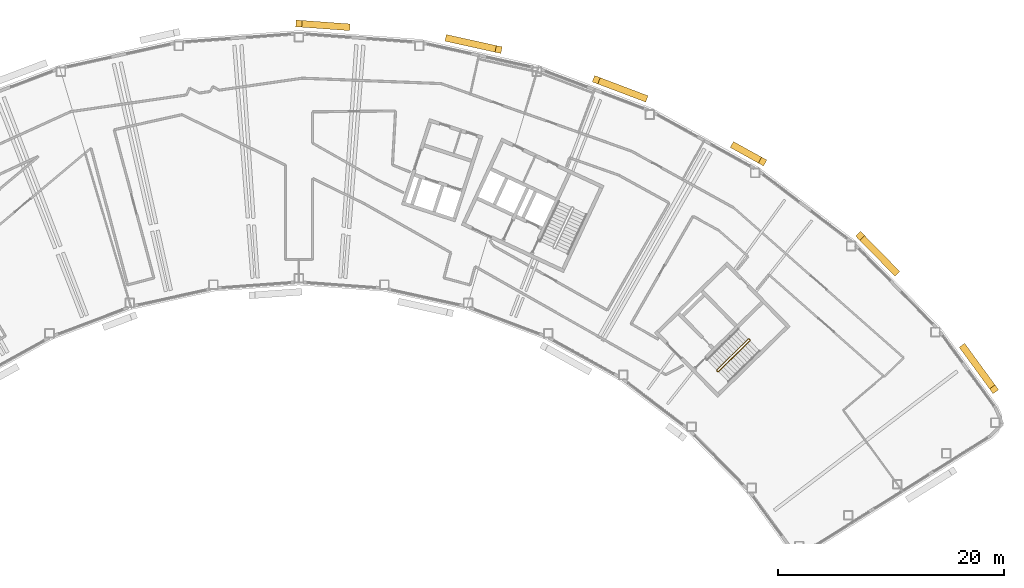
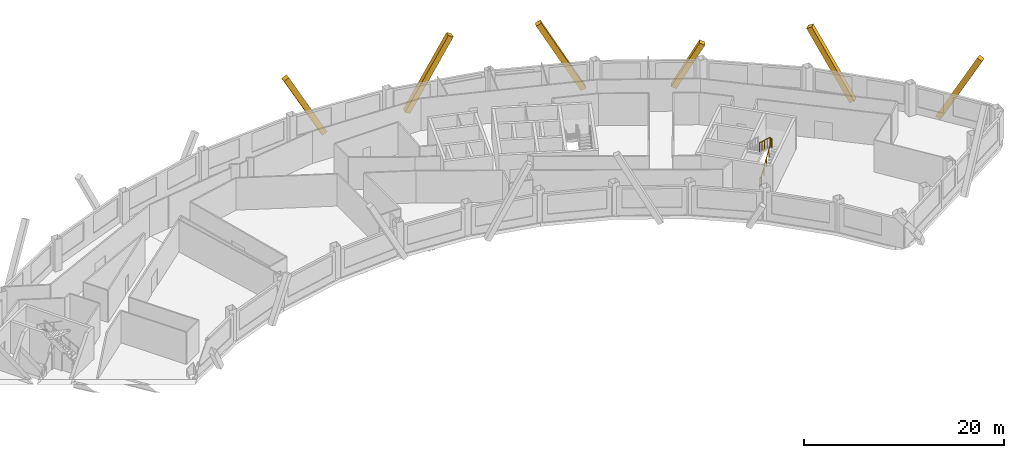
# One storey, part 13 of 13: 6 coverings, 1 railing.
"""IFC4 building model written with IfcOpenShell, lengths in metres."""

from ifc_helpers import new_model, si_unit, direction, frame, origin, origin_2d, place, context, subcontext, project, spatial, rectangle, circle, extrude, material, material_profile, profile_set, type_object, element, save


model = new_model("IFC4")

# Units and contexts
model_context = context("Model", 3, precision=1e-05, world=origin(), true_north=direction((0.0, 1.0)))
body_context = subcontext(model_context, "Body", "Model", "MODEL_VIEW")
ifc_project = project(units=[si_unit("LENGTHUNIT", "METRE"), si_unit("AREAUNIT", "SQUARE_METRE"), si_unit("VOLUMEUNIT", "CUBIC_METRE"), si_unit("PLANEANGLEUNIT", "RADIAN"), si_unit("MASSUNIT", "GRAM", prefix="KILO")], contexts=[model_context])

# Site, building, storey
site_placement = place(None, origin())
site = spatial("IfcSite", under=ifc_project, at=site_placement, CompositionType="ELEMENT")
building_placement = place(site_placement, origin())
building = spatial("IfcBuilding", under=site, at=building_placement, Name="Tuul Gate Civic Tower", CompositionType="ELEMENT")
storey_placement = place(building_placement, frame((0.0, 0.0, 248.39990234375)))
storey = spatial("IfcBuildingStorey", under=building, at=storey_placement, Name="Level 56", CompositionType="ELEMENT", Elevation=248.39990234375)

# Railing
ifc_material_1 = material(Name="Painted steel", Category="steel")
railing_type = type_object("IfcRailingType", Name="Stair guard", PredefinedType="GUARDRAIL", material=ifc_material_1)
railing_placement = place(storey_placement, frame((48.10546875, -16.134765625, 0.0)))
element("IfcRailing", 1, at=railing_placement, inside=storey, type_object=railing_type, Name="Level 56 ST-3 stair guard 1", PredefinedType="GUARDRAIL", context=body_context, shape_type="SweptSolid", body=[
    extrude(circle(Radius=0.02392578125, at=origin_2d()), frame((0.0, 0.0, 1.076171875), z_axis=(-0.698506948293, 0.715603272202, 0.0), x_axis=(-0.715603272202, -0.698506948293, 0.0)), (0.0, 0.0, 1.0), 0.099853515625),
    extrude(circle(Radius=0.02392578125, at=origin_2d()), frame((-0.06982421875, 0.071533203125, 1.076171875), z_axis=(0.644948864628, -0.331432055434, 0.688617277337), x_axis=(0.457068866502, 0.889431307788, 0.0)), (0.0, 0.0, 1.0), 0.218017578125),
    extrude(circle(Radius=0.02392578125, at=origin_2d()), frame((0.07080078125, -0.000732421875, 1.22607421875), z_axis=(0.638731261263, 0.626133563701, 0.447190268558), x_axis=(-0.700029477518, 0.714113947914, 0.0)), (0.0, 0.0, 1.0), 4.3603515625),
    extrude(circle(Radius=0.02392578125, at=origin_2d()), frame((2.85595703125, 2.7294921875, 3.17626953125), z_axis=(0.010380063588, 0.999946125689, 0.0), x_axis=(-0.999946125689, 0.010380063588, 0.0)), (0.0, 0.0, 1.0), 0.070556640625),
    extrude(circle(Radius=0.02392578125, at=origin_2d()), frame((2.856689453125, 2.800048828125, 3.17626953125), z_axis=(-0.699754442181, 0.714383454909, 0.0), x_axis=(-0.714383454909, -0.699754442181, 0.0)), (0.0, 0.0, 1.0), 0.10009765625),
    extrude(circle(Radius=0.02392578125, at=origin_2d()), frame((2.78662109375, 2.87158203125, 3.17626953125), z_axis=(-0.427069033481, 0.004417955519, 0.904208229508), x_axis=(-0.010344274102, -0.999946496565, 0.0)), (0.0, 0.0, 1.0), 0.165771484375),
    extrude(circle(Radius=0.02392578125, at=origin_2d()), frame((2.7158203125, 2.872314453125, 3.326171875), z_axis=(-0.638715268259, -0.626117886127, 0.447235059857), x_axis=(0.700029477518, -0.714113947914, 0.0)), (0.0, 0.0, 1.0), 4.360595703125),
    extrude(circle(Radius=0.02099609375, at=origin_2d()), origin(), (0.0, 0.0, 1.0), 1.052001953125),
    extrude(circle(Radius=0.02099609375, at=origin_2d()), frame((-0.06982421875, 0.071533203125, 0.0)), (0.0, 0.0, 1.0), 1.052001953125),
    extrude(circle(Radius=0.02099609375, at=origin_2d()), frame((0.07080078125, -0.000732421875, 0.150146484375)), (0.0, 0.0, 1.0), 1.052001953125),
    extrude(circle(Radius=0.02099609375, at=origin_2d()), frame((0.76708984375, 0.681884765625, 0.6376953125)), (0.0, 0.0, 1.0), 1.052001953125),
    extrude(circle(Radius=0.02099609375, at=origin_2d()), frame((1.46337890625, 1.3642578125, 1.125)), (0.0, 0.0, 1.0), 1.052001953125),
    extrude(circle(Radius=0.02099609375, at=origin_2d()), frame((2.15966796875, 2.046875, 1.612548828125)), (0.0, 0.0, 1.0), 1.052001953125),
    extrude(circle(Radius=0.02099609375, at=origin_2d()), frame((2.85595703125, 2.7294921875, 2.10009765625)), (0.0, 0.0, 1.0), 1.052001953125),
    extrude(circle(Radius=0.02099609375, at=origin_2d()), frame((2.856689453125, 2.800048828125, 2.10009765625)), (0.0, 0.0, 1.0), 1.052001953125),
    extrude(circle(Radius=0.02099609375, at=origin_2d()), frame((2.78662109375, 2.87158203125, 2.10009765625)), (0.0, 0.0, 1.0), 1.052001953125),
    extrude(circle(Radius=0.02099609375, at=origin_2d()), frame((2.7158203125, 2.872314453125, 2.25)), (0.0, 0.0, 1.0), 1.052001953125),
    extrude(circle(Radius=0.02099609375, at=origin_2d()), frame((2.01953125, 2.189697265625, 2.737548828125)), (0.0, 0.0, 1.0), 1.052001953125),
    extrude(circle(Radius=0.02099609375, at=origin_2d()), frame((1.3232421875, 1.50732421875, 3.22509765625)), (0.0, 0.0, 1.0), 1.052001953125),
    extrude(circle(Radius=0.02099609375, at=origin_2d()), frame((0.626953125, 0.82470703125, 3.712646484375)), (0.0, 0.0, 1.0), 1.052001953125),
    extrude(circle(Radius=0.02099609375, at=origin_2d()), frame((-0.0693359375, 0.14208984375, 4.2001953125)), (0.0, 0.0, 1.0), 1.052001953125),
])

# Coverings
ifc_material_2 = material(Name="Terracotta baguette", Category="masonry")
ifc_material_profile = material_profile(ifc_material_2, rectangle(XDim=0.60009765625, YDim=0.60009765625, at=origin_2d()), Name="Terracotta baguette screen frame")
ifc_profile_set = profile_set([ifc_material_profile], Name="Terracotta baguette")
covering_type = type_object("IfcCoveringType", Name="Terracotta baguette screen frame", PredefinedType="CLADDING", material=ifc_profile_set)
covering_1_placement = place(storey_placement, frame((72.5908203125, -17.710205078125, 8.050048828125), z_axis=(-0.281370554037, 0.385233710888, -0.878877465473), x_axis=(-0.807537279361, -0.589816532866, 0.0)))
element("IfcCovering", 2, at=covering_1_placement, inside=storey, type_object=covering_type, Name="Baguette 17", PredefinedType="CLADDING", context=body_context, shape_type="SweptSolid", body=[
    extrude(rectangle(XDim=0.60009765625, YDim=0.60009765625, at=origin_2d()), origin(), (0.0, 0.0, 1.0), 9.5576171875),
])
covering_2_placement = place(storey_placement, frame((60.724609375, -4.1142578125, 7.882568359375), z_axis=(0.332599597015, -0.339331959798, -0.879904159057), x_axis=(0.714155733534, 0.699986848634, 0.0)))
element("IfcCovering", 3, at=covering_2_placement, inside=storey, type_object=covering_type, Name="Baguette 32", PredefinedType="CLADDING", context=body_context, shape_type="SweptSolid", body=[
    extrude(rectangle(XDim=0.60009765625, YDim=0.60009765625, at=origin_2d()), origin(), (0.0, 0.0, 1.0), 9.35595703125),
])
covering_3_placement = place(storey_placement, frame((52.091064453125, 2.45849609375, 4.9248046875), z_axis=(-0.415573708359, 0.230390089003, -0.879897096148), x_axis=(-0.484864067073, -0.874589524555, 0.0)))
element("IfcCovering", 4, at=covering_3_placement, inside=storey, type_object=covering_type, Name="Baguette 38", PredefinedType="CLADDING", context=body_context, shape_type="SweptSolid", body=[
    extrude(rectangle(XDim=0.60009765625, YDim=0.60009765625, at=origin_2d()), origin(), (0.0, 0.0, 1.0), 5.99462890625),
])
covering_4_placement = place(storey_placement, frame((37.35693359375, 9.7021484375, 8.050048828125), z_axis=(0.444449007562, -0.168071746228, -0.879895998284), x_axis=(0.353711403676, 0.935354608108, 0.0)))
element("IfcCovering", 5, at=covering_4_placement, inside=storey, type_object=covering_type, Name="Baguette 53", PredefinedType="CLADDING", context=body_context, shape_type="SweptSolid", body=[
    extrude(rectangle(XDim=0.60009765625, YDim=0.60009765625, at=origin_2d()), origin(), (0.0, 0.0, 1.0), 9.54638671875),
])
covering_5_placement = place(storey_placement, frame((28.71337890625, 12.38134765625, 8.050048828125), z_axis=(-0.464056838947, 0.102268450289, -0.879882045675), x_axis=(-0.215214937511, -0.976566705695, 0.0)))
element("IfcCovering", 6, at=covering_5_placement, inside=storey, type_object=covering_type, Name="Baguette 59", PredefinedType="CLADDING", context=body_context, shape_type="SweptSolid", body=[
    extrude(rectangle(XDim=0.60009765625, YDim=0.60009765625, at=origin_2d()), origin(), (0.0, 0.0, 1.0), 9.546630859375),
])
covering_6_placement = place(storey_placement, frame((11.031005859375, 14.677001953125, 7.55078125), z_axis=(0.473922775206, -0.034313857849, -0.879897586257), x_axis=(0.072214861862, 0.99738909846, 0.0)))
element("IfcCovering", 7, at=covering_6_placement, inside=storey, type_object=covering_type, Name="Baguette 74", PredefinedType="CLADDING", context=body_context, shape_type="SweptSolid", body=[
    extrude(rectangle(XDim=0.60009765625, YDim=0.60009765625, at=origin_2d()), origin(), (0.0, 0.0, 1.0), 8.97900390625),
])

save(model, "model.ifc")
